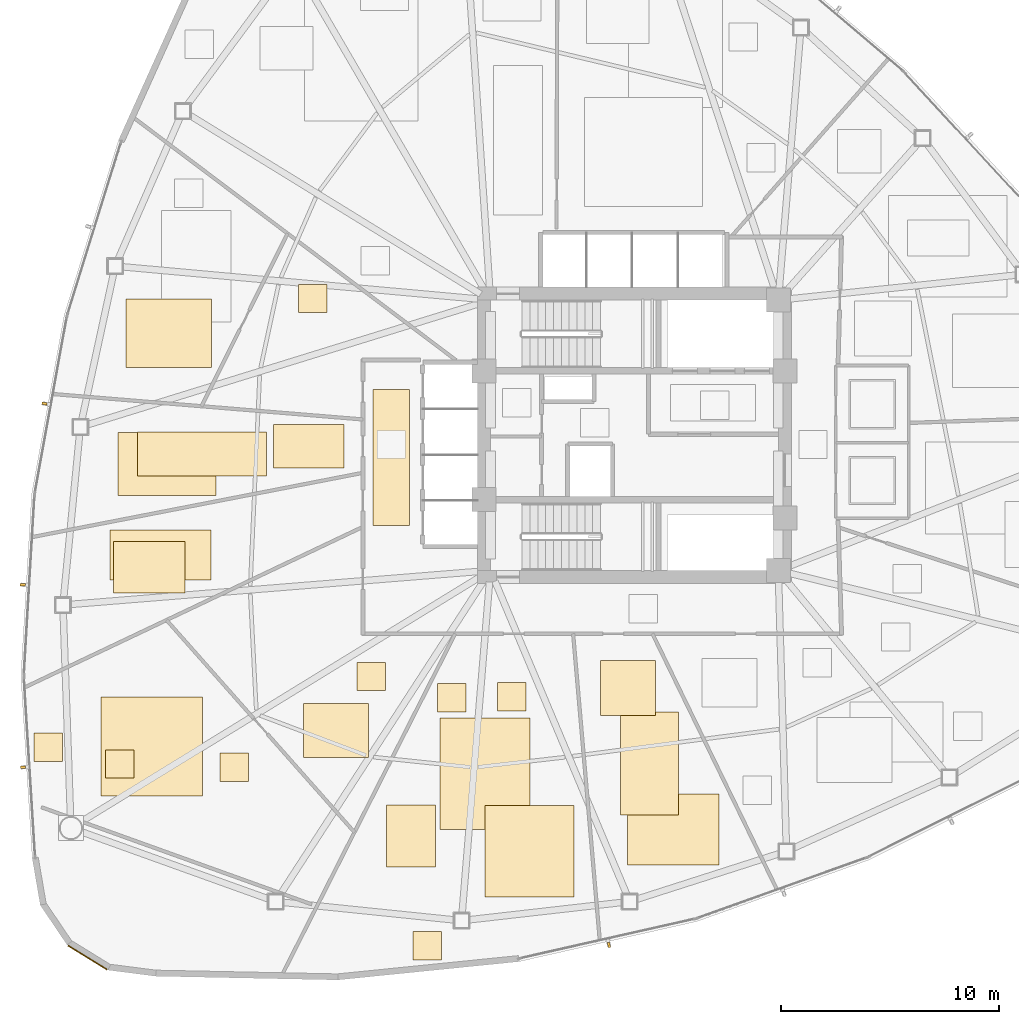
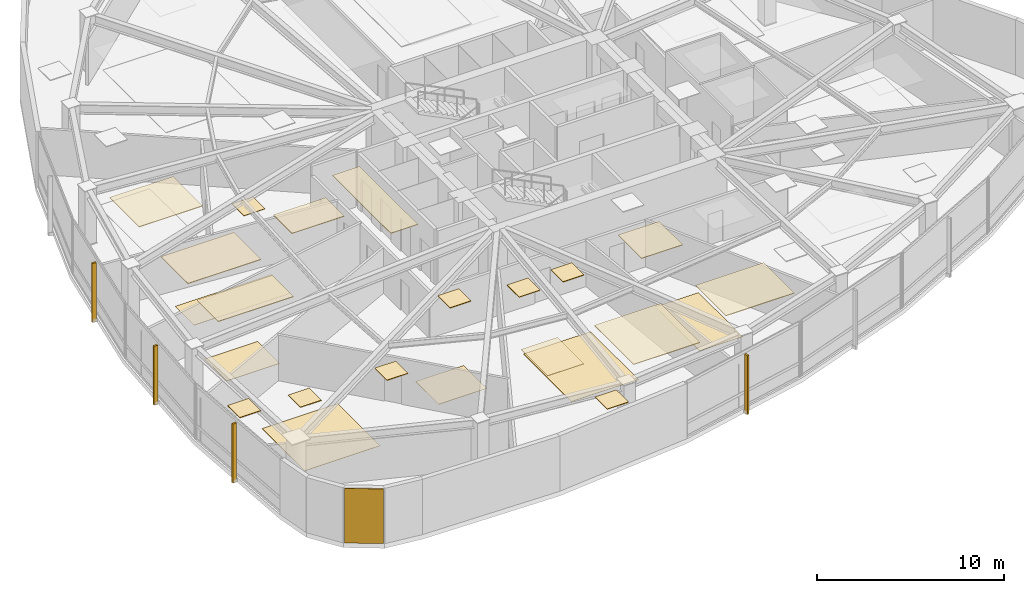
# One storey, part 14 of 17: 24 coverings, 4 shading devices.
"""IFC4 building model written with IfcOpenShell, lengths in metres."""

from ifc_helpers import new_model, si_unit, direction, frame, origin, origin_2d, place, context, subcontext, project, spatial, polyline, rectangle, outline, extrude, source, transform, mapped, material, layer, layer_set, type_object, type_shapes, element, save


model = new_model("IFC4")

# Units and contexts
model_context = context("Model", 3, precision=1e-05, world=origin(), true_north=direction((0.0, 1.0)))
body_context = subcontext(model_context, "Body", "Model", "MODEL_VIEW")
ifc_project = project(units=[si_unit("LENGTHUNIT", "METRE"), si_unit("AREAUNIT", "SQUARE_METRE"), si_unit("VOLUMEUNIT", "CUBIC_METRE"), si_unit("PLANEANGLEUNIT", "RADIAN"), si_unit("MASSUNIT", "GRAM", prefix="KILO")], contexts=[model_context])

# Site, building, storey
site_placement = place(None, origin())
site = spatial("IfcSite", under=ifc_project, at=site_placement, CompositionType="ELEMENT")
building_placement = place(site_placement, origin())
building = spatial("IfcBuilding", under=site, at=building_placement, Name="Tavelor Broadcast Tower", CompositionType="ELEMENT")
storey_placement = place(building_placement, frame((0.0, 0.0, 93.89990234375)))
storey = spatial("IfcBuildingStorey", under=building, at=storey_placement, Name="L22", CompositionType="ELEMENT", Elevation=93.89990234375)

# Coverings
ifc_material_1 = material(Name="Copper-Bronze Anodized Aluminium", Category="aluminium")
ifc_layer_1 = layer(ifc_material_1, 0.050048828125)
ifc_layer_set_1 = layer_set([ifc_layer_1], Name="Copper-Bronze Anodized Aluminium")
covering_type_1 = type_object("IfcCoveringType", Name="Champagne-Bronze Corner Pier Metal Cladding 50 mm", PredefinedType="CLADDING", material=ifc_layer_set_1)
covering_1_placement = place(storey_placement, frame((24.920654296875, 21.0498046875, 0.02001953125), z_axis=(0.0, 0.0, 1.0), x_axis=(0.851269345923, -0.524728978323, 0.0)))
element("IfcCovering", 1, at=covering_1_placement, inside=storey, type_object=covering_type_1, Name="L22 Champagne-Bronze Corner Cladding 13", PredefinedType="CLADDING", context=body_context, shape_type="SweptSolid", body=[
    extrude(rectangle(XDim=2.097412109375, YDim=0.050048828125, at=origin_2d()), origin(), (0.0, 0.0, 1.0), 3.56005859375),
])
ifc_material_2 = material(Name="Architectural Anodized Aluminium", Category="aluminium")
ifc_layer_2 = layer(ifc_material_2, 0.034912109375)
ifc_layer_set_2 = layer_set([ifc_layer_2], Name="Architectural Anodized Aluminium")
covering_type_2 = type_object("IfcCoveringType", Name="Demountable Metal Tile Corridor Ceiling 35 mm", PredefinedType="CEILING", material=ifc_layer_set_2)
covering_2_placement = place(storey_placement, frame((0.0, 0.0, 3.565185546875)))
element("IfcCovering", 2, at=covering_2_placement, inside=storey, type_object=covering_type_2, Name="L22 Suspended Acoustic Ceiling 0926", PredefinedType="CEILING", context=body_context, shape_type="SweptSolid", body=[
    extrude(outline(polyline([(38.01611328125, 40.868896484375), (39.683837890625, 40.868896484375), (39.683837890625, 47.096923828125), (38.01611328125, 47.096923828125), (38.01611328125, 40.868896484375)])), origin(), (0.0, 0.0, 1.0), 0.034912109375),
])
ifc_material_3 = material(Name="Acoustic Nylon Carpet Tile")
ifc_layer_3 = layer(ifc_material_3, 0.02001953125)
ifc_layer_set_3 = layer_set([ifc_layer_3], Name="Acoustic Nylon Carpet Tile")
covering_type_3 = type_object("IfcCoveringType", Name="Heavy-Duty Acoustic Broadcast Carpet Tile 20 mm", PredefinedType="FLOORING", material=ifc_layer_set_3)
covering_3_placement = place(storey_placement, origin())
element("IfcCovering", 3, at=covering_3_placement, inside=storey, type_object=covering_type_3, Name="L22 Broadcast Floor Finish 0329", PredefinedType="FLOORING", context=body_context, shape_type="SweptSolid", body=[
    extrude(outline(polyline([(49.372802734375, 27.57666015625), (52.030517578125, 27.57666015625), (52.030517578125, 32.306884765625), (49.372802734375, 32.306884765625), (49.372802734375, 27.57666015625)])), origin(), (0.0, 0.0, 1.0), 0.02001953125),
])
covering_4_placement = place(storey_placement, origin())
element("IfcCovering", 4, at=covering_4_placement, inside=storey, type_object=covering_type_3, Name="L22 Broadcast Floor Finish 0330", PredefinedType="FLOORING", context=body_context, shape_type="SweptSolid", body=[
    extrude(outline(polyline([(41.089599609375, 26.91064453125), (45.22265625, 26.91064453125), (45.22265625, 32.034912109375), (41.089599609375, 32.034912109375), (41.089599609375, 26.91064453125)])), origin(), (0.0, 0.0, 1.0), 0.02001953125),
])
covering_5_placement = place(storey_placement, origin())
element("IfcCovering", 5, at=covering_5_placement, inside=storey, type_object=covering_type_3, Name="L22 Broadcast Floor Finish 0331", PredefinedType="FLOORING", context=body_context, shape_type="SweptSolid", body=[
    extrude(outline(polyline([(25.5439453125, 28.45458984375), (30.19921875, 28.45458984375), (30.19921875, 32.99951171875), (25.5439453125, 32.99951171875), (25.5439453125, 28.45458984375)])), origin(), (0.0, 0.0, 1.0), 0.02001953125),
])
covering_6_placement = place(storey_placement, origin())
element("IfcCovering", 6, at=covering_6_placement, inside=storey, type_object=covering_type_3, Name="L22 Broadcast Floor Finish 0332", PredefinedType="FLOORING", context=body_context, shape_type="SweptSolid", body=[
    extrude(outline(polyline([(26.111328125, 37.77197265625), (29.38916015625, 37.77197265625), (29.38916015625, 40.135498046875), (26.111328125, 40.135498046875), (26.111328125, 37.77197265625)])), origin(), (0.0, 0.0, 1.0), 0.02001953125),
])
covering_7_placement = place(storey_placement, origin())
element("IfcCovering", 7, at=covering_7_placement, inside=storey, type_object=covering_type_3, Name="L22 Broadcast Floor Finish 0333", PredefinedType="FLOORING", context=body_context, shape_type="SweptSolid", body=[
    extrude(outline(polyline([(27.20751953125, 43.130859375), (33.132080078125, 43.130859375), (33.132080078125, 45.156982421875), (27.20751953125, 45.156982421875), (27.20751953125, 43.130859375)])), origin(), (0.0, 0.0, 1.0), 0.02001953125),
])
covering_8_placement = place(storey_placement, origin())
element("IfcCovering", 8, at=covering_8_placement, inside=storey, type_object=covering_type_3, Name="L22 Broadcast Floor Finish 0339", PredefinedType="FLOORING", context=body_context, shape_type="SweptSolid", body=[
    extrude(outline(polyline([(34.597900390625, 50.62548828125), (35.897705078125, 50.62548828125), (35.897705078125, 51.925537109375), (34.597900390625, 51.925537109375), (34.597900390625, 50.62548828125)])), origin(), (0.0, 0.0, 1.0), 0.02001953125),
])
covering_9_placement = place(storey_placement, origin())
element("IfcCovering", 9, at=covering_9_placement, inside=storey, type_object=covering_type_3, Name="L22 Broadcast Floor Finish 0340", PredefinedType="FLOORING", context=body_context, shape_type="SweptSolid", body=[
    extrude(outline(polyline([(34.8291015625, 30.2314453125), (37.79736328125, 30.2314453125), (37.79736328125, 32.69677734375), (34.8291015625, 32.69677734375), (34.8291015625, 30.2314453125)])), origin(), (0.0, 0.0, 1.0), 0.02001953125),
])
ifc_material_4 = material(Name="Acoustic Mineral Fibre Tile")
ifc_layer_4 = layer(ifc_material_4, 0.0400390625)
ifc_layer_set_4 = layer_set([ifc_layer_4], Name="Acoustic Mineral Fibre Tile")
covering_type_4 = type_object("IfcCoveringType", Name="Suspended Acoustic Mineral-Fibre Office Ceiling 40 mm", PredefinedType="CEILING", material=ifc_layer_set_4)
covering_10_placement = place(storey_placement, frame((0.0, 0.0, 3.56005859375)))
element("IfcCovering", 10, at=covering_10_placement, inside=storey, type_object=covering_type_4, Name="L22 Suspended Acoustic Ceiling 0936", PredefinedType="CEILING", context=body_context, shape_type="SweptSolid", body=[
    extrude(outline(polyline([(48.44482421875, 32.15869140625), (50.975830078125, 32.15869140625), (50.975830078125, 34.66748046875), (48.44482421875, 34.66748046875), (48.44482421875, 32.15869140625)])), origin(), (0.0, 0.0, 1.0), 0.0400390625),
])
covering_11_placement = place(storey_placement, frame((0.0, 0.0, 3.56005859375)))
element("IfcCovering", 11, at=covering_11_placement, inside=storey, type_object=covering_type_4, Name="L22 Suspended Acoustic Ceiling 0937", PredefinedType="CEILING", context=body_context, shape_type="SweptSolid", body=[
    extrude(outline(polyline([(49.673583984375, 25.293701171875), (53.88427734375, 25.293701171875), (53.88427734375, 28.553466796875), (49.673583984375, 28.553466796875), (49.673583984375, 25.293701171875)])), origin(), (0.0, 0.0, 1.0), 0.0400390625),
])
covering_12_placement = place(storey_placement, frame((0.0, 0.0, 3.56005859375)))
element("IfcCovering", 12, at=covering_12_placement, inside=storey, type_object=covering_type_4, Name="L22 Suspended Acoustic Ceiling 0938", PredefinedType="CEILING", context=body_context, shape_type="SweptSolid", body=[
    extrude(outline(polyline([(39.85400390625, 20.93701171875), (41.154052734375, 20.93701171875), (41.154052734375, 22.237060546875), (39.85400390625, 22.237060546875), (39.85400390625, 20.93701171875)])), origin(), (0.0, 0.0, 1.0), 0.0400390625),
])
covering_13_placement = place(storey_placement, frame((0.0, 0.0, 3.56005859375)))
element("IfcCovering", 13, at=covering_13_placement, inside=storey, type_object=covering_type_4, Name="L22 Suspended Acoustic Ceiling 0939", PredefinedType="CEILING", context=body_context, shape_type="SweptSolid", body=[
    extrude(outline(polyline([(38.637451171875, 25.200927734375), (40.88232421875, 25.200927734375), (40.88232421875, 28.0341796875), (38.637451171875, 28.0341796875), (38.637451171875, 25.200927734375)])), origin(), (0.0, 0.0, 1.0), 0.0400390625),
])
covering_14_placement = place(storey_placement, frame((0.0, 0.0, 3.56005859375)))
element("IfcCovering", 14, at=covering_14_placement, inside=storey, type_object=covering_type_4, Name="L22 Suspended Acoustic Ceiling 0940", PredefinedType="CEILING", context=body_context, shape_type="SweptSolid", body=[
    extrude(outline(polyline([(40.981201171875, 32.310302734375), (42.28125, 32.310302734375), (42.28125, 33.6103515625), (40.981201171875, 33.6103515625), (40.981201171875, 32.310302734375)])), origin(), (0.0, 0.0, 1.0), 0.0400390625),
])
covering_15_placement = place(storey_placement, frame((0.0, 0.0, 3.56005859375)))
element("IfcCovering", 15, at=covering_15_placement, inside=storey, type_object=covering_type_4, Name="L22 Suspended Acoustic Ceiling 0941", PredefinedType="CEILING", context=body_context, shape_type="SweptSolid", body=[
    extrude(outline(polyline([(43.7197265625, 32.3623046875), (45.019775390625, 32.3623046875), (45.019775390625, 33.662353515625), (43.7197265625, 33.662353515625), (43.7197265625, 32.3623046875)])), origin(), (0.0, 0.0, 1.0), 0.0400390625),
])
covering_16_placement = place(storey_placement, frame((0.0, 0.0, 3.56005859375)))
element("IfcCovering", 16, at=covering_16_placement, inside=storey, type_object=covering_type_4, Name="L22 Suspended Acoustic Ceiling 0942", PredefinedType="CEILING", context=body_context, shape_type="SweptSolid", body=[
    extrude(outline(polyline([(43.1416015625, 23.830078125), (47.225830078125, 23.830078125), (47.225830078125, 28.02392578125), (43.1416015625, 28.02392578125), (43.1416015625, 23.830078125)])), origin(), (0.0, 0.0, 1.0), 0.0400390625),
])
covering_17_placement = place(storey_placement, frame((0.0, 0.0, 3.56005859375)))
element("IfcCovering", 17, at=covering_17_placement, inside=storey, type_object=covering_type_4, Name="L22 Suspended Acoustic Ceiling 0943", PredefinedType="CEILING", context=body_context, shape_type="SweptSolid", body=[
    extrude(outline(polyline([(31.006103515625, 29.134033203125), (32.305908203125, 29.134033203125), (32.305908203125, 30.43408203125), (31.006103515625, 30.43408203125), (31.006103515625, 29.134033203125)])), origin(), (0.0, 0.0, 1.0), 0.0400390625),
])
covering_18_placement = place(storey_placement, frame((0.0, 0.0, 3.56005859375)))
element("IfcCovering", 18, at=covering_18_placement, inside=storey, type_object=covering_type_4, Name="L22 Suspended Acoustic Ceiling 0944", PredefinedType="CEILING", context=body_context, shape_type="SweptSolid", body=[
    extrude(outline(polyline([(25.751953125, 29.274658203125), (27.052001953125, 29.274658203125), (27.052001953125, 30.57470703125), (25.751953125, 30.57470703125), (25.751953125, 29.274658203125)])), origin(), (0.0, 0.0, 1.0), 0.0400390625),
])
covering_19_placement = place(storey_placement, frame((0.0, 0.0, 3.56005859375)))
element("IfcCovering", 19, at=covering_19_placement, inside=storey, type_object=covering_type_4, Name="L22 Suspended Acoustic Ceiling 0945", PredefinedType="CEILING", context=body_context, shape_type="SweptSolid", body=[
    extrude(outline(polyline([(22.462158203125, 30.05029296875), (23.76220703125, 30.05029296875), (23.76220703125, 31.350341796875), (22.462158203125, 31.350341796875), (22.462158203125, 30.05029296875)])), origin(), (0.0, 0.0, 1.0), 0.0400390625),
])
covering_20_placement = place(storey_placement, frame((0.0, 0.0, 3.56005859375)))
element("IfcCovering", 20, at=covering_20_placement, inside=storey, type_object=covering_type_4, Name="L22 Suspended Acoustic Ceiling 0946", PredefinedType="CEILING", context=body_context, shape_type="SweptSolid", body=[
    extrude(outline(polyline([(25.942138671875, 38.368408203125), (30.590087890625, 38.368408203125), (30.590087890625, 40.650390625), (25.942138671875, 40.650390625), (25.942138671875, 38.368408203125)])), origin(), (0.0, 0.0, 1.0), 0.0400390625),
])
covering_21_placement = place(storey_placement, frame((0.0, 0.0, 3.56005859375)))
element("IfcCovering", 21, at=covering_21_placement, inside=storey, type_object=covering_type_4, Name="L22 Suspended Acoustic Ceiling 0947", PredefinedType="CEILING", context=body_context, shape_type="SweptSolid", body=[
    extrude(outline(polyline([(33.444091796875, 43.49658203125), (36.6748046875, 43.49658203125), (36.6748046875, 45.485107421875), (33.444091796875, 45.485107421875), (33.444091796875, 43.49658203125)])), origin(), (0.0, 0.0, 1.0), 0.0400390625),
])
covering_22_placement = place(storey_placement, frame((0.0, 0.0, 3.56005859375)))
element("IfcCovering", 22, at=covering_22_placement, inside=storey, type_object=covering_type_4, Name="L22 Suspended Acoustic Ceiling 0948", PredefinedType="CEILING", context=body_context, shape_type="SweptSolid", body=[
    extrude(outline(polyline([(26.3076171875, 42.232177734375), (30.81689453125, 42.232177734375), (30.81689453125, 45.1240234375), (26.3076171875, 45.1240234375), (26.3076171875, 42.232177734375)])), origin(), (0.0, 0.0, 1.0), 0.0400390625),
])
covering_23_placement = place(storey_placement, frame((0.0, 0.0, 3.56005859375)))
element("IfcCovering", 23, at=covering_23_placement, inside=storey, type_object=covering_type_4, Name="L22 Suspended Acoustic Ceiling 0950", PredefinedType="CEILING", context=body_context, shape_type="SweptSolid", body=[
    extrude(outline(polyline([(26.688720703125, 48.1044921875), (30.601318359375, 48.1044921875), (30.601318359375, 51.25830078125), (26.688720703125, 51.25830078125), (26.688720703125, 48.1044921875)])), origin(), (0.0, 0.0, 1.0), 0.0400390625),
])
covering_24_placement = place(storey_placement, frame((0.0, 0.0, 3.56005859375)))
element("IfcCovering", 24, at=covering_24_placement, inside=storey, type_object=covering_type_4, Name="L22 Suspended Acoustic Ceiling 0966", PredefinedType="CEILING", context=body_context, shape_type="SweptSolid", body=[
    extrude(outline(polyline([(37.284912109375, 33.284912109375), (38.5849609375, 33.284912109375), (38.5849609375, 34.5849609375), (37.284912109375, 34.5849609375), (37.284912109375, 33.284912109375)])), origin(), (0.0, 0.0, 1.0), 0.0400390625),
])

# Shading devices
ifc_material_5 = material(Name="Kiln-Fired Glazed Terracotta", Category="masonry")
shading_device_type = type_object("IfcShadingDeviceType", Name="Extruded Terracotta Baguette Sun-Screen 110x240", PredefinedType="JALOUSIE", material=ifc_material_5)
shared_shape = source(origin(), body_context, "Body", "SweptSolid", [
    extrude(rectangle(XDim=0.110107421875, YDim=0.239990234375, at=origin_2d()), origin(), (0.0, 0.0, 1.0), 3.840087890625),
])
type_shapes(shading_device_type, [shared_shape])
for number, where, z_axis, x_axis, name in (
    (25, (22.945556640625, 46.45263671875, -0.259765625), (0.0, 0.0, 1.0), (-0.179317351584, -0.983791282448, 0.0), "L22 Terracotta Baguette Fin 218"),
    (26, (21.947509765625, 38.144287109375, -0.259765625), (0.0, 0.0, 1.0), (-0.058783688319, -0.99827074383, 0.0), "L22 Terracotta Baguette Fin 219"),
    (27, (21.96240234375, 29.7763671875, -0.259765625), (0.0, 0.0, 1.0), (0.062442138662, -0.998048585651, 0.0), "L22 Terracotta Baguette Fin 220"),
    (28, (48.83349609375, 21.626953125, -0.259765625), (0.0, 0.0, 1.0), (0.975457743712, 0.220186716747, 0.0), "L22 Terracotta Baguette Fin 221"),
):
    element("IfcShadingDevice", number, at=place(storey_placement, frame(where, z_axis=z_axis, x_axis=x_axis)), inside=storey, type_object=shading_device_type, Name=name, PredefinedType="JALOUSIE", context=body_context, shape_type="MappedRepresentation", body=[
        mapped(shared_shape, transform((0.0, 0.0, 0.0), scale=1.0)),
    ])

save(model, "model.ifc")
